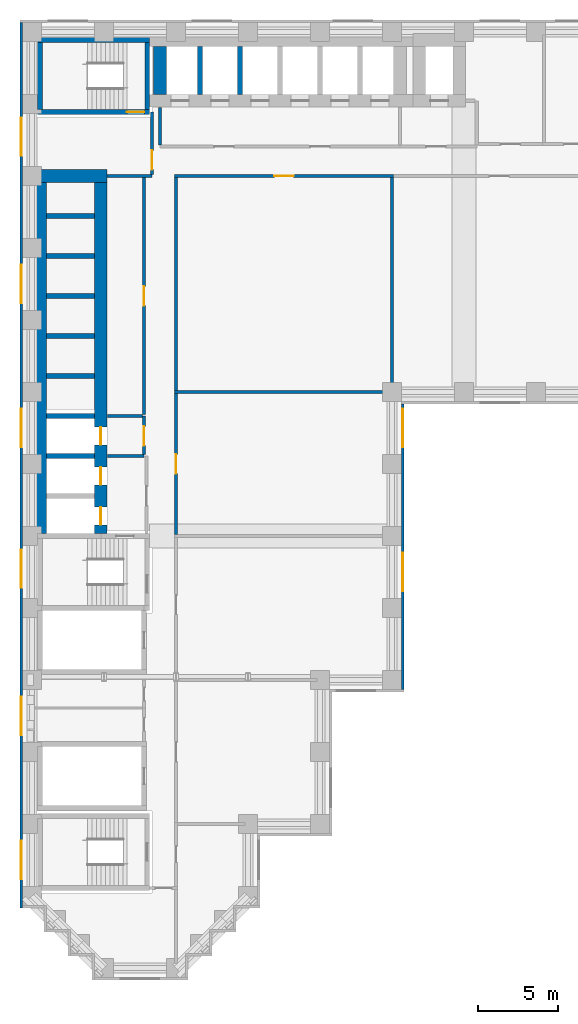
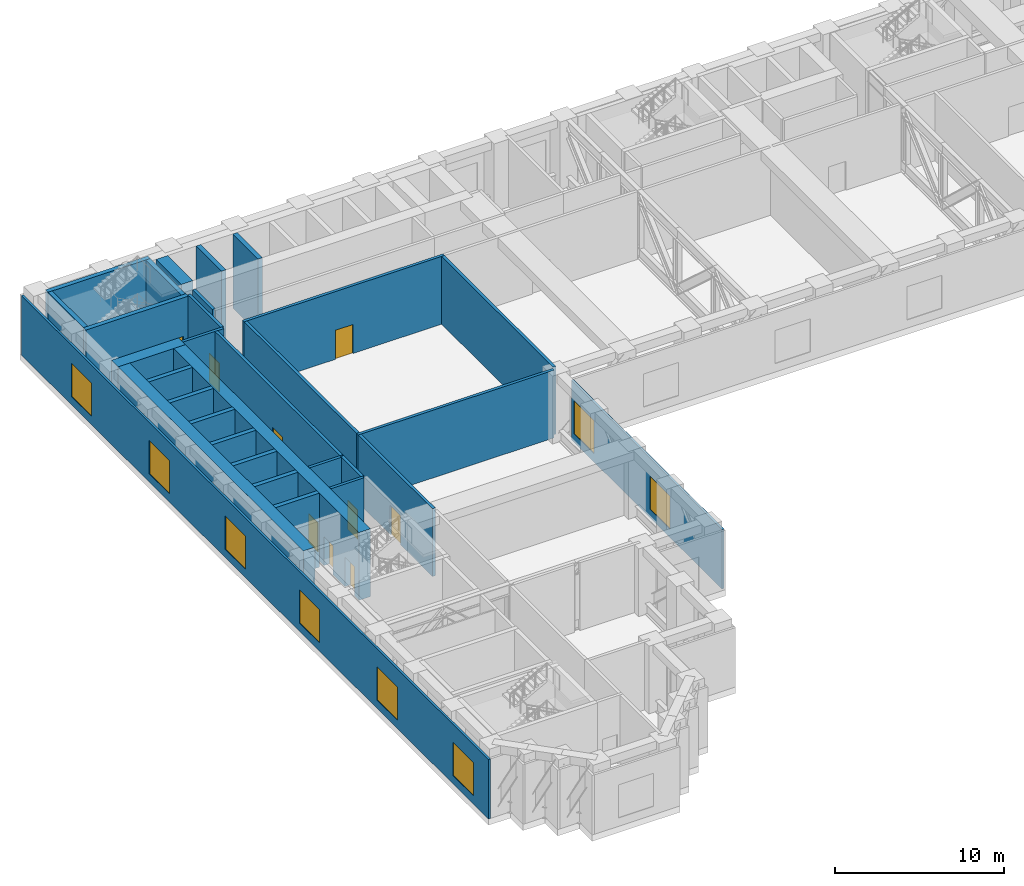
# One storey, part 6 of 13: 31 walls, 9 doors, 8 windows, 17 openings.
"""IFC4 building model written with IfcOpenShell, lengths in metres."""

import ifcopenshell
import ifcopenshell.guid

model = None  # the IFC model being written
_history = None  # IfcOwnerHistory: only IFC2X3 demands one
_inside = {}  # id of a spatial element -> (the spatial element, [elements in it])
_under = {}  # id of a project, library or spatial element -> (it, [spatial elements below it])
_declared = {}  # id of a project -> (the project, [libraries it declares])
_typed = {}  # id of a type object -> (the type object, [elements of that type])
_made_of = {}  # id of a material, layer set ... -> (it, [elements and type objects made of it])


def new_model(schema):
    """Start an empty IFC model of exactly this schema.

    Asked for "IFC4X3", IfcOpenShell would pick the latest addendum, in which some entities
    have other attributes; the version numbers below select the first issue.
    IFC2X3 requires an IfcOwnerHistory on every rooted entity: one is made here for all.
    """
    global model, _history
    if schema == "IFC4X3":
        model = ifcopenshell.file(schema_version=(4, 3, 0, 0))
    else:
        model = ifcopenshell.file(schema=schema)
    _inside.clear()
    _under.clear()
    _declared.clear()
    _typed.clear()
    _made_of.clear()
    _history = None
    if model.schema == "IFC2X3":
        org = make("IfcOrganization", Name="unknown")
        user = make(
            "IfcPersonAndOrganization",
            ThePerson=make("IfcPerson", FamilyName="unknown"),
            TheOrganization=org,
        )
        app = make(
            "IfcApplication",
            ApplicationDeveloper=org,
            Version="unknown",
            ApplicationFullName="unknown",
            ApplicationIdentifier="unknown",
        )
        _history = make(
            "IfcOwnerHistory",
            OwningUser=user,
            OwningApplication=app,
            ChangeAction="ADDED",
            CreationDate=0,
        )
    return model


def make(cls, **values):
    """One entity of the class cls with the attributes given. An attribute that is None is left unset."""
    return model.create_entity(
        cls, **{name: value for name, value in values.items() if value is not None}
    )


def rooted(cls, **values):
    """An entity with a GlobalId (a new one), such as an element, a storey or a relation."""
    return make(cls, GlobalId=ifcopenshell.guid.new(), OwnerHistory=_history, **values)


def si_unit(unit_type, name, prefix=None):
    """IfcSIUnit, for example si_unit("LENGTHUNIT", "METRE", prefix="MILLI")."""
    return make("IfcSIUnit", UnitType=unit_type, Prefix=prefix, Name=name)


def assignment(units):
    """IfcUnitAssignment: the units of a project."""
    return None if units is None else make("IfcUnitAssignment", Units=units)


def point(xyz):
    """IfcCartesianPoint."""
    return None if xyz is None else make("IfcCartesianPoint", Coordinates=xyz)


def direction(xyz):
    """IfcDirection."""
    return None if xyz is None else make("IfcDirection", DirectionRatios=xyz)


def frame(location, z_axis=None, x_axis=None):
    """IfcAxis2Placement3D, a coordinate frame: its origin and axes. An axis left out is left unset."""
    return make(
        "IfcAxis2Placement3D",
        Location=point(location),
        Axis=direction(z_axis),
        RefDirection=direction(x_axis),
    )


def frame_2d(location, x_axis=None):
    """IfcAxis2Placement2D, a coordinate frame in the plane: its origin and x axis."""
    return make(
        "IfcAxis2Placement2D", Location=point(location), RefDirection=direction(x_axis)
    )


def origin():
    """The frame at (0, 0, 0) with its axes left unset."""
    return frame((0.0, 0.0, 0.0))


def place(relative_to, where):
    """IfcLocalPlacement: puts the frame where relative to a parent placement (None: the world)."""
    return make(
        "IfcLocalPlacement", PlacementRelTo=relative_to, RelativePlacement=where
    )


def context(
    kind, dimensions, precision=None, world=None, true_north=None, identifier=None
):
    """IfcGeometricRepresentationContext, for example the 3D "Model" context."""
    return make(
        "IfcGeometricRepresentationContext",
        ContextIdentifier=identifier,
        ContextType=kind,
        CoordinateSpaceDimension=dimensions,
        Precision=precision,
        WorldCoordinateSystem=world,
        TrueNorth=true_north,
    )


def subcontext(parent, identifier, kind, view, scale=None):
    """IfcGeometricRepresentationSubContext, for example "Body" below "Model"."""
    return make(
        "IfcGeometricRepresentationSubContext",
        ContextIdentifier=identifier,
        ContextType=kind,
        ParentContext=parent,
        TargetScale=scale,
        TargetView=view,
    )


def project(units=None, contexts=None):
    """IfcProject with its units and contexts."""
    return rooted(
        "IfcProject",
        Name="project",
        RepresentationContexts=contexts,
        UnitsInContext=assignment(units),
    )


def spatial(cls, under=None, at=None, **own):
    """A site, building, storey or space (cls), placed at a placement, below another one or the project."""
    s = rooted(cls, ObjectPlacement=at, **own)
    if under is not None:
        _under.setdefault(under.id(), (under, []))[1].append(s)
    return s


def profile(cls, at=None, kind="AREA", **sizes):
    """A parametric profile (cls). Its sizes go by their IFC names, for example OverallWidth=200.0."""
    return make(cls, ProfileType=kind, Position=at, **sizes)


def rectangle(**sizes):
    """IfcRectangleProfileDef."""
    return profile("IfcRectangleProfileDef", **sizes)


def extrude(swept, where, along, depth):
    """IfcExtrudedAreaSolid: the profile swept, set in the frame where, extruded along a direction by depth."""
    return make(
        "IfcExtrudedAreaSolid",
        SweptArea=swept,
        Position=where,
        ExtrudedDirection=direction(along),
        Depth=depth,
    )


def shape(context_of_items, identifier, shape_type, items):
    """IfcShapeRepresentation: the items that make up one representation, for example the "Body"."""
    return make(
        "IfcShapeRepresentation",
        ContextOfItems=context_of_items,
        RepresentationIdentifier=identifier,
        RepresentationType=shape_type,
        Items=items,
    )


def material(Name=None, Category=None):
    """IfcMaterial."""
    return make("IfcMaterial", Name=Name, Category=Category)


def layer(
    of_material, thickness, ventilated=None, Name=None, Category=None, Priority=None
):
    """IfcMaterialLayer: one layer of a wall or slab, of a material (None: an air gap)."""
    return make(
        "IfcMaterialLayer",
        Material=of_material,
        LayerThickness=thickness,
        IsVentilated=ventilated,
        Name=Name,
        Category=Category,
        Priority=Priority,
    )


def layer_set(layers, Name=None):
    """IfcMaterialLayerSet."""
    return make("IfcMaterialLayerSet", MaterialLayers=layers, LayerSetName=Name)


def made_of(thing, what):
    """Note that an element or type object is made of a material, layer set ...; save() writes the relation."""
    if what is not None:
        _made_of.setdefault(what.id(), (what, []))[1].append(thing)
    return thing


def type_object(cls, material=None, **own):
    """A type object (cls), such as IfcWallType, which elements share."""
    return made_of(rooted(cls, **own), material)


def element(
    cls,
    number,
    at=None,
    inside=None,
    cuts=None,
    type_object=None,
    material=None,
    context=None,
    identifier="Body",
    shape_type=None,
    held_by="IfcProductDefinitionShape",
    body=None,
    shapes=None,
    **own,
):
    """One element of the class cls, such as IfcWall. Its Tag is "e" and its number.

    at: its placement. inside: the storey or other place that contains it. cuts: it is an
    opening in that element (IfcRelVoidsElement). A single representation is given by context,
    identifier, shape_type and body (its items); several are given by shapes. held_by: the class
    of the entity that holds the representations. save() writes the other relations.
    """
    e = rooted(cls, Tag="e%d" % number, ObjectPlacement=at, **own)
    if body is not None:
        shapes = [shape(context, identifier, shape_type, body)]
    if shapes is not None:
        e.Representation = make(held_by, Representations=shapes)
    if inside is not None:
        _inside.setdefault(inside.id(), (inside, []))[1].append(e)
    if cuts is not None:
        rooted(
            "IfcRelVoidsElement", RelatingBuildingElement=cuts, RelatedOpeningElement=e
        )
    if type_object is not None:
        _typed.setdefault(type_object.id(), (type_object, []))[1].append(e)
    return made_of(e, material)


def fill(opening, filler):
    """IfcRelFillsElement: the door or window that sits in an opening."""
    return rooted(
        "IfcRelFillsElement",
        RelatingOpeningElement=opening,
        RelatedBuildingElement=filler,
    )


def aggregate(whole, parts):
    """IfcRelAggregates: a whole, such as a stair, and the parts it consists of."""
    return rooted("IfcRelAggregates", RelatingObject=whole, RelatedObjects=parts)


def save(model, path):
    """Write the relations noted so far, then the file.

    IfcRelAggregates (storeys below a building ...), IfcRelContainedInSpatialStructure (elements
    in a storey), IfcRelDefinesByType, IfcRelAssociatesMaterial and IfcRelDeclares: one each for
    every whole, place, type object, material and project.
    """
    for whole, parts in _under.values():
        aggregate(whole, parts)
    for where, things in _inside.values():
        rooted(
            "IfcRelContainedInSpatialStructure",
            RelatedElements=things,
            RelatingStructure=where,
        )
    for kind, things in _typed.values():
        rooted("IfcRelDefinesByType", RelatedObjects=things, RelatingType=kind)
    for what, things in _made_of.values():
        rooted("IfcRelAssociatesMaterial", RelatedObjects=things, RelatingMaterial=what)
    for by, libraries in _declared.values():
        rooted("IfcRelDeclares", RelatingContext=by, RelatedDefinitions=libraries)
    model.write(path)


model = new_model("IFC4")

# Units and contexts
model_context = context("Model", 3, precision=1e-05, world=origin(), true_north=direction((0.0, 1.0)))
body_context = subcontext(model_context, "Body", "Model", "MODEL_VIEW")
ifc_project = project(units=[si_unit("LENGTHUNIT", "METRE"), si_unit("AREAUNIT", "SQUARE_METRE"), si_unit("VOLUMEUNIT", "CUBIC_METRE"), si_unit("PLANEANGLEUNIT", "RADIAN"), si_unit("MASSUNIT", "GRAM", prefix="KILO")], contexts=[model_context])

# Site, building, storey
site_placement = place(None, origin())
site = spatial("IfcSite", under=ifc_project, at=site_placement, CompositionType="ELEMENT")
building_placement = place(site_placement, origin())
building = spatial("IfcBuilding", under=site, at=building_placement, Name="Firuza Court", CompositionType="ELEMENT")
storey_placement = place(building_placement, frame((0.0, 0.0, 108.199951171875)))
storey = spatial("IfcBuildingStorey", under=building, at=storey_placement, Name="L27", CompositionType="ELEMENT", Elevation=108.199951171875)

# Wall, opening, door
ifc_material_1 = material(Name="Concrete C60/75", Category="concrete")
ifc_layer_1 = layer(ifc_material_1, 0.300048828125)
ifc_layer_set_1 = layer_set([ifc_layer_1], Name="Concrete C60/75")
wall_type_1 = type_object("IfcWallType", Name="Core wall 300 C60/75", PredefinedType="SHEAR", material=ifc_layer_set_1)
wall_1_placement = place(storey_placement, frame((0.35009765625, 53.5, -0.449951171875), z_axis=(0.0, 0.0, 1.0), x_axis=(1.0, 0.0, 0.0)))
wall_1 = element("IfcWall", 1, at=wall_1_placement, inside=storey, type_object=wall_type_1, Name="Core wall stair L27", PredefinedType="SHEAR", context=body_context, shape_type="SweptSolid", body=[
    extrude(rectangle(XDim=7.0, YDim=0.300048828125, at=frame_2d((3.5, 0.0))), origin(), (0.0, 0.0, 1.0), 5.35009765625),
])
opening_1_placement = place(wall_1_placement, frame((5.580078125, 0.0, 0.449951171875)))
opening_1 = element("IfcOpeningElement", 2, at=opening_1_placement, cuts=wall_1, Name="Opening D27016", PredefinedType="OPENING", context=body_context, shape_type="SweptSolid", body=[
    extrude(rectangle(XDim=1.10009765625, YDim=2.10009765625, at=frame_2d((0.550048828125, 1.050048828125))), frame((0.0, 0.162109375, 0.0), z_axis=(0.0, -1.0, 0.0), x_axis=(1.0, 0.0, 0.0)), (0.0, 0.0, 1.0), 0.323974609375),
])
ifc_material_2 = material(Name="Timber door leaf in hardwood frame", Category="wood")
door_type_1 = type_object("IfcDoorType", Name="Stair door 1100", OperationType="SINGLE_SWING_LEFT", PredefinedType="DOOR", material=ifc_material_2)
door_1_placement = place(opening_1_placement, origin())
door_1 = element("IfcDoor", 3, at=door_1_placement, inside=storey, type_object=door_type_1, Name="Stair door S3", OperationType="SINGLE_SWING_RIGHT", OverallHeight=2.10009765625, OverallWidth=1.10009765625, PredefinedType="DOOR", context=body_context, shape_type="SweptSolid", body=[
    extrude(rectangle(XDim=1.10009765625, YDim=2.10009765625, at=frame_2d((0.550048828125, 1.050048828125))), frame((0.0, 0.02490234375, 0.0), z_axis=(0.0, -1.0, 0.0), x_axis=(1.0, 0.0, 0.0)), (0.0, 0.0, 1.0), 0.050048828125),
])
fill(opening_1, door_1)

# Walls
wall_2_placement = place(storey_placement, frame((0.35009765625, 58.0, -0.449951171875), z_axis=(0.0, 0.0, 1.0), x_axis=(1.0, 0.0, 0.0)))
element("IfcWall", 4, at=wall_2_placement, inside=storey, type_object=wall_type_1, Name="Core wall stair L27", PredefinedType="SHEAR", context=body_context, shape_type="SweptSolid", body=[
    extrude(rectangle(XDim=7.0, YDim=0.300048828125, at=frame_2d((3.5, 0.0))), origin(), (0.0, 0.0, 1.0), 5.35009765625),
])
wall_3_placement = place(storey_placement, frame((0.5, 53.64990234375, -0.449951171875), z_axis=(0.0, 0.0, 1.0), x_axis=(0.0, 1.0, 0.0)))
element("IfcWall", 5, at=wall_3_placement, inside=storey, type_object=wall_type_1, Name="Core wall stair L27", PredefinedType="SHEAR", context=body_context, shape_type="SweptSolid", body=[
    extrude(rectangle(XDim=4.2001953125, YDim=0.300048828125, at=frame_2d((2.10009765625, 0.0))), origin(), (0.0, 0.0, 1.0), 5.35009765625),
])
for number, where, z_axis, x_axis, name in (
    (6, (0.89990234375, 32.0, -0.449951171875), (0.0, 0.0, 1.0), (1.0, 0.0, 0.0), "Core wall lift shaft L27"),
    (7, (0.89990234375, 34.5, -0.449951171875), (0.0, 0.0, 1.0), (1.0, 0.0, 0.0), "Core wall lift shaft L27"),
):
    element("IfcWall", number, at=place(storey_placement, frame(where, z_axis=z_axis, x_axis=x_axis)), inside=storey, type_object=wall_type_1, Name=name, PredefinedType="SHEAR", context=body_context, shape_type="SweptSolid", body=[
        extrude(rectangle(XDim=3.0, YDim=0.300048828125, at=frame_2d((1.5, 0.0))), origin(), (0.0, 0.0, 1.0), 5.35009765625),
    ])
for number, where, z_axis, x_axis, name in (
    (8, (0.89990234375, 37.0, 0.0), (0.0, 0.0, 1.0), (1.0, 0.0, 0.0), "Core wall lift shaft L27"),
    (9, (0.89990234375, 39.5, 0.0), (0.0, 0.0, 1.0), (1.0, 0.0, 0.0), "Core wall lift shaft L27"),
    (10, (0.89990234375, 42.0, 0.0), (0.0, 0.0, 1.0), (1.0, 0.0, 0.0), "Core wall lift shaft L27"),
    (11, (0.89990234375, 44.5, 0.0), (0.0, 0.0, 1.0), (1.0, 0.0, 0.0), "Core wall lift shaft L27"),
    (12, (0.89990234375, 47.0, 0.0), (0.0, 0.0, 1.0), (1.0, 0.0, 0.0), "Core wall lift shaft L27"),
):
    element("IfcWall", number, at=place(storey_placement, frame(where, z_axis=z_axis, x_axis=x_axis)), inside=storey, type_object=wall_type_1, Name=name, PredefinedType="SHEAR", context=body_context, shape_type="SweptSolid", body=[
        extrude(rectangle(XDim=3.0, YDim=0.300048828125, at=frame_2d((1.5, 0.0))), origin(), (0.0, 0.0, 1.0), 4.900146484375),
    ])
wall_4_placement = place(storey_placement, frame((7.199951171875, 53.64990234375, -0.449951171875), z_axis=(0.0, 0.0, 1.0), x_axis=(0.0, 1.0, 0.0)))
element("IfcWall", 13, at=wall_4_placement, inside=storey, type_object=wall_type_1, Name="Core wall stair L27", PredefinedType="SHEAR", context=body_context, shape_type="SweptSolid", body=[
    extrude(rectangle(XDim=4.2001953125, YDim=0.300048828125, at=frame_2d((2.10009765625, 0.0))), origin(), (0.0, 0.0, 1.0), 5.35009765625),
])
for number, where, z_axis, x_axis, name in (
    (14, (10.5, 54.60009765625, -0.449951171875), (0.0, 0.0, 1.0), (0.0, 1.0, 0.0), "Core wall lift shaft L27"),
    (15, (13.0, 54.60009765625, -0.449951171875), (0.0, 0.0, 1.0), (0.0, 1.0, 0.0), "Core wall lift shaft L27"),
):
    element("IfcWall", number, at=place(storey_placement, frame(where, z_axis=z_axis, x_axis=x_axis)), inside=storey, type_object=wall_type_1, Name=name, PredefinedType="SHEAR", context=body_context, shape_type="SweptSolid", body=[
        extrude(rectangle(XDim=3.0, YDim=0.300048828125, at=frame_2d((1.5, 0.0))), origin(), (0.0, 0.0, 1.0), 5.35009765625),
    ])
ifc_layer_2 = layer(ifc_material_1, 0.800048828125)
ifc_layer_set_2 = layer_set([ifc_layer_2], Name="Concrete C60/75")
wall_type_2 = type_object("IfcWallType", Name="Core wall 800 C60/75", PredefinedType="SHEAR", material=ifc_layer_set_2)
wall_5_placement = place(storey_placement, frame((0.10009765625, 49.5, 0.0), z_axis=(0.0, 0.0, 1.0), x_axis=(1.0, 0.0, 0.0)))
element("IfcWall", 16, at=wall_5_placement, inside=storey, type_object=wall_type_2, Name="Core wall lift shaft L27", PredefinedType="SHEAR", context=body_context, shape_type="SweptSolid", body=[
    extrude(rectangle(XDim=4.599853515625, YDim=0.800048828125, at=frame_2d((2.2998046875, 0.0))), origin(), (0.0, 0.0, 1.0), 4.900146484375),
])
wall_6_placement = place(storey_placement, frame((0.5, 27.14990234375, 0.0), z_axis=(0.0, 0.0, 1.0), x_axis=(0.0, 1.0, 0.0)))
element("IfcWall", 17, at=wall_6_placement, inside=storey, type_object=wall_type_2, Name="Core wall lift shaft L27", PredefinedType="SHEAR", context=body_context, shape_type="SweptSolid", body=[
    extrude(rectangle(XDim=21.9501953125, YDim=0.800048828125, at=frame_2d((10.97509765625, 0.0))), origin(), (0.0, 0.0, 1.0), 4.900146484375),
])

# Wall, openings, doors
wall_7_placement = place(storey_placement, frame((4.300048828125, 27.14990234375, 0.0), z_axis=(0.0, 0.0, 1.0), x_axis=(0.0, 1.0, 0.0)))
wall_7 = element("IfcWall", 18, at=wall_7_placement, inside=storey, type_object=wall_type_2, Name="Core wall lift shaft L27", PredefinedType="SHEAR", context=body_context, shape_type="SweptSolid", body=[
    extrude(rectangle(XDim=21.9501953125, YDim=0.800048828125, at=frame_2d((10.97509765625, 0.0))), origin(), (0.0, 0.0, 1.0), 4.900146484375),
])
opening_2_placement = place(wall_7_placement, frame((3.050048828125, 0.0, 0.0)))
opening_2 = element("IfcOpeningElement", 19, at=opening_2_placement, cuts=wall_7, Name="Opening LD-FL1-27", PredefinedType="OPENING", context=body_context, shape_type="SweptSolid", body=[
    extrude(rectangle(XDim=1.10009765625, YDim=2.10009765625, at=frame_2d((0.550048828125, 1.050048828125))), frame((0.0, 0.412109375, 0.0), z_axis=(0.0, -1.0, 0.0), x_axis=(1.0, 0.0, 0.0)), (0.0, 0.0, 1.0), 0.823974609375),
])
opening_3_placement = place(wall_7_placement, frame((0.550048828125, 0.0, 0.0)))
opening_3 = element("IfcOpeningElement", 20, at=opening_3_placement, cuts=wall_7, Name="Opening LD-FL2-27", PredefinedType="OPENING", context=body_context, shape_type="SweptSolid", body=[
    extrude(rectangle(XDim=1.10009765625, YDim=2.10009765625, at=frame_2d((0.550048828125, 1.050048828125))), frame((0.0, 0.412109375, 0.0), z_axis=(0.0, -1.0, 0.0), x_axis=(1.0, 0.0, 0.0)), (0.0, 0.0, 1.0), 0.823974609375),
])
opening_4_placement = place(wall_7_placement, frame((5.550048828125, 0.0, 0.0)))
opening_4 = element("IfcOpeningElement", 21, at=opening_4_placement, cuts=wall_7, Name="Opening LD-SL1-27", PredefinedType="OPENING", context=body_context, shape_type="SweptSolid", body=[
    extrude(rectangle(XDim=1.10009765625, YDim=2.10009765625, at=frame_2d((0.550048828125, 1.050048828125))), frame((0.0, 0.412109375, 0.0), z_axis=(0.0, -1.0, 0.0), x_axis=(1.0, 0.0, 0.0)), (0.0, 0.0, 1.0), 0.823974609375),
])
ifc_material_3 = material(Name="Stainless steel 1.4301 door leaf", Category="steel")
door_type_2 = type_object("IfcDoorType", Name="Lift landing door 1100", OperationType="SLIDING_TO_LEFT", PredefinedType="DOOR", material=ifc_material_3)
door_2_placement = place(opening_2_placement, origin())
door_2 = element("IfcDoor", 22, at=door_2_placement, inside=storey, type_object=door_type_2, Name="Landing door FL1", OperationType="SLIDING_TO_LEFT", OverallHeight=2.10009765625, OverallWidth=1.10009765625, PredefinedType="DOOR", context=body_context, shape_type="SweptSolid", body=[
    extrude(rectangle(XDim=1.10009765625, YDim=2.10009765625, at=frame_2d((0.550048828125, 1.050048828125))), frame((0.0, 0.02490234375, 0.0), z_axis=(0.0, -1.0, 0.0), x_axis=(1.0, 0.0, 0.0)), (0.0, 0.0, 1.0), 0.050048828125),
])
fill(opening_2, door_2)
door_3_placement = place(opening_3_placement, origin())
door_3 = element("IfcDoor", 23, at=door_3_placement, inside=storey, type_object=door_type_2, Name="Landing door FL2", OperationType="SLIDING_TO_LEFT", OverallHeight=2.10009765625, OverallWidth=1.10009765625, PredefinedType="DOOR", context=body_context, shape_type="SweptSolid", body=[
    extrude(rectangle(XDim=1.10009765625, YDim=2.10009765625, at=frame_2d((0.550048828125, 1.050048828125))), frame((0.0, 0.02490234375, 0.0), z_axis=(0.0, -1.0, 0.0), x_axis=(1.0, 0.0, 0.0)), (0.0, 0.0, 1.0), 0.050048828125),
])
fill(opening_3, door_3)
door_4_placement = place(opening_4_placement, origin())
door_4 = element("IfcDoor", 24, at=door_4_placement, inside=storey, type_object=door_type_2, Name="Landing door SL1", OperationType="SLIDING_TO_LEFT", OverallHeight=2.10009765625, OverallWidth=1.10009765625, PredefinedType="DOOR", context=body_context, shape_type="SweptSolid", body=[
    extrude(rectangle(XDim=1.10009765625, YDim=2.10009765625, at=frame_2d((0.550048828125, 1.050048828125))), frame((0.0, 0.02490234375, 0.0), z_axis=(0.0, -1.0, 0.0), x_axis=(1.0, 0.0, 0.0)), (0.0, 0.0, 1.0), 0.050048828125),
])
fill(opening_4, door_4)

# Wall
wall_8_placement = place(storey_placement, frame((8.0, 54.60009765625, -0.449951171875), z_axis=(0.0, 0.0, 1.0), x_axis=(0.0, 1.0, 0.0)))
element("IfcWall", 25, at=wall_8_placement, inside=storey, type_object=wall_type_2, Name="Core wall lift shaft L27", PredefinedType="SHEAR", context=body_context, shape_type="SweptSolid", body=[
    extrude(rectangle(XDim=3.0, YDim=0.800048828125, at=frame_2d((1.5, 0.0))), origin(), (0.0, 0.0, 1.0), 5.35009765625),
])

# Wall, opening, door
ifc_material_4 = material(Name="Blockwork, fire-rated", Category="masonry")
ifc_layer_3 = layer(ifc_material_4, 0.199951171875)
ifc_layer_set_3 = layer_set([ifc_layer_3], Name="Blockwork, fire-rated")
wall_type_3 = type_object("IfcWallType", Name="Plant room wall 200", PredefinedType="PARTITIONING", material=ifc_layer_set_3)
wall_9_placement = place(storey_placement, frame((9.0, 27.10009765625, 0.0), z_axis=(0.0, 0.0, 1.0), x_axis=(0.0, 1.0, 0.0)))
wall_9 = element("IfcWall", 26, at=wall_9_placement, inside=storey, type_object=wall_type_3, Name="Plant room wall 200 L27", PredefinedType="PARTITIONING", context=body_context, shape_type="SweptSolid", body=[
    extrude(rectangle(XDim=8.7998046875, YDim=0.199951171875, at=frame_2d((4.39990234375, 0.0))), origin(), (0.0, 0.0, 1.0), 4.900146484375),
])
opening_5_placement = place(wall_9_placement, frame((3.800048828125, 0.0, 0.0)))
opening_5 = element("IfcOpeningElement", 27, at=opening_5_placement, cuts=wall_9, Name="Opening D27025", PredefinedType="OPENING", context=body_context, shape_type="SweptSolid", body=[
    extrude(rectangle(XDim=1.199951171875, YDim=2.10009765625, at=frame_2d((0.60009765625, 1.050048828125))), frame((0.0, 0.11181640625, 0.0), z_axis=(0.0, -1.0, 0.0), x_axis=(1.0, 0.0, 0.0)), (0.0, 0.0, 1.0), 0.223876953125),
])
ifc_material_5 = material(Name="Timber door leaf in hardwood frame", Category="wood")
door_type_3 = type_object("IfcDoorType", Name="Plant room door 1200", OperationType="SINGLE_SWING_LEFT", PredefinedType="DOOR", material=ifc_material_5)
door_5_placement = place(opening_5_placement, frame((1.199951171875, 0.0, 0.0), z_axis=(0.0, 0.0, 1.0), x_axis=(-1.0, 0.0, 0.0)))
door_5 = element("IfcDoor", 28, at=door_5_placement, inside=storey, type_object=door_type_3, Name="Plant door", OperationType="SINGLE_SWING_RIGHT", OverallHeight=2.10009765625, OverallWidth=1.199951171875, PredefinedType="DOOR", context=body_context, shape_type="SweptSolid", body=[
    extrude(rectangle(XDim=1.199951171875, YDim=2.10009765625, at=frame_2d((0.60009765625, 1.050048828125))), frame((0.0, 0.02490234375, 0.0), z_axis=(0.0, -1.0, 0.0), x_axis=(1.0, 0.0, 0.0)), (0.0, 0.0, 1.0), 0.050048828125),
])
fill(opening_5, door_5)

# Walls
wall_10_placement = place(storey_placement, frame((9.0, 36.10009765625, 0.0), z_axis=(0.0, 0.0, 1.0), x_axis=(0.0, 1.0, 0.0)))
element("IfcWall", 29, at=wall_10_placement, inside=storey, type_object=wall_type_3, Name="Plant room wall 200 L27", PredefinedType="PARTITIONING", context=body_context, shape_type="SweptSolid", body=[
    extrude(rectangle(XDim=13.2998046875, YDim=0.199951171875, at=frame_2d((6.64990234375, 0.0))), origin(), (0.0, 0.0, 1.0), 4.900146484375),
])
wall_11_placement = place(storey_placement, frame((22.30859375, 36.0, 0.0), z_axis=(0.0, 0.0, 1.0), x_axis=(-1.0, 0.0, 0.0)))
element("IfcWall", 30, at=wall_11_placement, inside=storey, type_object=wall_type_3, Name="Plant room wall 200 L27", PredefinedType="PARTITIONING", context=body_context, shape_type="SweptSolid", body=[
    extrude(rectangle(XDim=13.40869140625, YDim=0.199951171875, at=frame_2d((6.704345703125, 0.0))), origin(), (0.0, 0.0, 1.0), 4.900146484375),
])
wall_12_placement = place(storey_placement, frame((22.5, 36.19140625, 0.0), z_axis=(0.0, 0.0, 1.0), x_axis=(0.0, 1.0, 0.0)))
element("IfcWall", 31, at=wall_12_placement, inside=storey, type_object=wall_type_3, Name="Plant room wall 200 L27", PredefinedType="PARTITIONING", context=body_context, shape_type="SweptSolid", body=[
    extrude(rectangle(XDim=13.20849609375, YDim=0.199951171875, at=frame_2d((6.604248046875, 0.0))), origin(), (0.0, 0.0, 1.0), 4.900146484375),
])

# Wall, opening, door
wall_13_placement = place(storey_placement, frame((7.0, 49.39990234375, 0.0), z_axis=(0.0, 0.0, 1.0), x_axis=(0.0, -1.0, 0.0)))
wall_13 = element("IfcWall", 32, at=wall_13_placement, inside=storey, type_object=wall_type_3, Name="Plant room wall 200 L27", PredefinedType="PARTITIONING", context=body_context, shape_type="SweptSolid", body=[
    extrude(rectangle(XDim=14.7998046875, YDim=0.199951171875, at=frame_2d((7.39990234375, 0.0))), origin(), (0.0, 0.0, 1.0), 4.900146484375),
])
opening_6_placement = place(wall_13_placement, frame((6.800048828125, 0.0, 0.0)))
opening_6 = element("IfcOpeningElement", 33, at=opening_6_placement, cuts=wall_13, Name="Opening D27026", PredefinedType="OPENING", context=body_context, shape_type="SweptSolid", body=[
    extrude(rectangle(XDim=1.199951171875, YDim=2.10009765625, at=frame_2d((0.60009765625, 1.050048828125))), frame((0.0, 0.11181640625, 0.0), z_axis=(0.0, -1.0, 0.0), x_axis=(1.0, 0.0, 0.0)), (0.0, 0.0, 1.0), 0.223876953125),
])
door_6_placement = place(opening_6_placement, frame((1.199951171875, 0.0, 0.0), z_axis=(0.0, 0.0, 1.0), x_axis=(-1.0, 0.0, 0.0)))
door_6 = element("IfcDoor", 34, at=door_6_placement, inside=storey, type_object=door_type_3, Name="Plant door", OperationType="SINGLE_SWING_RIGHT", OverallHeight=2.10009765625, OverallWidth=1.199951171875, PredefinedType="DOOR", context=body_context, shape_type="SweptSolid", body=[
    extrude(rectangle(XDim=1.199951171875, YDim=2.10009765625, at=frame_2d((0.60009765625, 1.050048828125))), frame((0.0, 0.02490234375, 0.0), z_axis=(0.0, -1.0, 0.0), x_axis=(1.0, 0.0, 0.0)), (0.0, 0.0, 1.0), 0.050048828125),
])
fill(opening_6, door_6)

wall_14_placement = place(storey_placement, frame((8.89990234375, 49.5, 0.0), z_axis=(0.0, 0.0, 1.0), x_axis=(1.0, 0.0, 0.0)))
wall_14 = element("IfcWall", 35, at=wall_14_placement, inside=storey, type_object=wall_type_3, Name="Plant room wall 200 L27", PredefinedType="PARTITIONING", context=body_context, shape_type="SweptSolid", body=[
    extrude(rectangle(XDim=13.7001953125, YDim=0.199951171875, at=frame_2d((6.85009765625, 0.0))), origin(), (0.0, 0.0, 1.0), 4.900146484375),
])
opening_7_placement = place(wall_14_placement, frame((6.25, 0.0, 0.0)))
opening_7 = element("IfcOpeningElement", 36, at=opening_7_placement, cuts=wall_14, Name="Opening D27027", PredefinedType="OPENING", context=body_context, shape_type="SweptSolid", body=[
    extrude(rectangle(XDim=1.199951171875, YDim=2.10009765625, at=frame_2d((0.60009765625, 1.050048828125))), frame((0.0, 0.11181640625, 0.0), z_axis=(0.0, -1.0, 0.0), x_axis=(1.0, 0.0, 0.0)), (0.0, 0.0, 1.0), 0.223876953125),
])
door_7_placement = place(opening_7_placement, frame((1.199951171875, 0.0, 0.0), z_axis=(0.0, 0.0, 1.0), x_axis=(-1.0, 0.0, 0.0)))
door_7 = element("IfcDoor", 37, at=door_7_placement, inside=storey, type_object=door_type_3, Name="Plant door", OperationType="SINGLE_SWING_RIGHT", OverallHeight=2.10009765625, OverallWidth=1.199951171875, PredefinedType="DOOR", context=body_context, shape_type="SweptSolid", body=[
    extrude(rectangle(XDim=1.199951171875, YDim=2.10009765625, at=frame_2d((0.60009765625, 1.050048828125))), frame((0.0, 0.02490234375, 0.0), z_axis=(0.0, -1.0, 0.0), x_axis=(1.0, 0.0, 0.0)), (0.0, 0.0, 1.0), 0.050048828125),
])
fill(opening_7, door_7)

# Wall, openings, windows
ifc_material_6 = material(Name="Ceramic tile", Category="ceramic")
ifc_layer_4 = layer(ifc_material_6, 0.02001953125)
ifc_material_7 = material(Name="Mineral wool insulation", Category="insulation")
ifc_layer_5 = layer(ifc_material_7, 0.050048828125)
ifc_material_8 = material(Name="Concrete C40/50 precast", Category="concrete")
ifc_layer_6 = layer(ifc_material_8, 0.080078125)
ifc_layer_set_4 = layer_set([ifc_layer_4, ifc_layer_5, ifc_layer_6], Name="Concrete C40/50 precast")
wall_type_4 = type_object("IfcWallType", Name="Precast cladding wall with turquoise TILE PANEL face 150", PredefinedType="STANDARD", material=ifc_layer_set_4)
wall_15_placement = place(storey_placement, frame((23.175048828125, 17.39990234375, 0.0), z_axis=(0.0, 0.0, 1.0), x_axis=(0.0, 1.0, 0.0)))
wall_15 = element("IfcWall", 38, at=wall_15_placement, inside=storey, type_object=wall_type_4, Name="Facade wall L27 E", PredefinedType="STANDARD", context=body_context, shape_type="SweptSolid", body=[
    extrude(rectangle(XDim=17.85009765625, YDim=0.14990234375, at=frame_2d((8.925048828125, 0.0))), origin(), (0.0, 0.0, 1.0), 4.300048828125),
])
opening_8_placement = place(wall_15_placement, frame((6.14990234375, 0.0, 0.60009765625)))
opening_8 = element("IfcOpeningElement", 39, at=opening_8_placement, cuts=wall_15, Name="Opening LV2", PredefinedType="OPENING", context=body_context, shape_type="SweptSolid", body=[
    extrude(rectangle(XDim=2.39990234375, YDim=2.39990234375, at=frame_2d((1.199951171875, 1.199951171875))), frame((0.0, 0.0869140625, 0.0), z_axis=(0.0, -1.0, 0.0), x_axis=(1.0, 0.0, 0.0)), (0.0, 0.0, 1.0), 0.173828125),
])
opening_9_placement = place(wall_15_placement, frame((15.14990234375, 0.0, 0.60009765625)))
opening_9 = element("IfcOpeningElement", 40, at=opening_9_placement, cuts=wall_15, Name="Opening LV2", PredefinedType="OPENING", context=body_context, shape_type="SweptSolid", body=[
    extrude(rectangle(XDim=2.39990234375, YDim=2.39990234375, at=frame_2d((1.199951171875, 1.199951171875))), frame((0.0, 0.0869140625, 0.0), z_axis=(0.0, -1.0, 0.0), x_axis=(1.0, 0.0, 0.0)), (0.0, 0.0, 1.0), 0.173828125),
])
ifc_material_9 = material(Name="Aluminium weather louvre with insect mesh", Category="aluminium")
window_type = type_object("IfcWindowType", Name="Plant louvre 2400 x 2400", PartitioningType="SINGLE_PANEL", PredefinedType="USERDEFINED", material=ifc_material_9)
window_1_placement = place(opening_8_placement, origin())
window_1 = element("IfcWindow", 41, at=window_1_placement, inside=storey, type_object=window_type, Name="Louvre L27", ObjectType="LOUVRE", OverallHeight=2.39990234375, OverallWidth=2.39990234375, PartitioningType="SINGLE_PANEL", PredefinedType="USERDEFINED", context=body_context, shape_type="SweptSolid", body=[
    extrude(rectangle(XDim=2.39990234375, YDim=2.39990234375, at=frame_2d((1.199951171875, 1.199951171875))), frame((0.0, 0.030029296875, 0.0), z_axis=(0.0, -1.0, 0.0), x_axis=(1.0, 0.0, 0.0)), (0.0, 0.0, 1.0), 0.06005859375),
])
fill(opening_8, window_1)
window_2_placement = place(opening_9_placement, origin())
window_2 = element("IfcWindow", 42, at=window_2_placement, inside=storey, type_object=window_type, Name="Louvre L27", ObjectType="LOUVRE", OverallHeight=2.39990234375, OverallWidth=2.39990234375, PartitioningType="SINGLE_PANEL", PredefinedType="USERDEFINED", context=body_context, shape_type="SweptSolid", body=[
    extrude(rectangle(XDim=2.39990234375, YDim=2.39990234375, at=frame_2d((1.199951171875, 1.199951171875))), frame((0.0, 0.030029296875, 0.0), z_axis=(0.0, -1.0, 0.0), x_axis=(1.0, 0.0, 0.0)), (0.0, 0.0, 1.0), 0.06005859375),
])
fill(opening_9, window_2)

wall_16_placement = place(storey_placement, frame((-0.675048828125, 59.10009765625, 0.0), z_axis=(0.0, 0.0, 1.0), x_axis=(0.0, -1.0, 0.0)))
wall_16 = element("IfcWall", 43, at=wall_16_placement, inside=storey, type_object=wall_type_4, Name="Facade wall L27 W", PredefinedType="STANDARD", context=body_context, shape_type="SweptSolid", body=[
    extrude(rectangle(XDim=55.35009765625, YDim=0.14990234375, at=frame_2d((27.675048828125, 0.0))), origin(), (0.0, 0.0, 1.0), 4.300048828125),
])
opening_10_placement = place(wall_16_placement, frame((5.949951171875, 0.0, 0.60009765625)))
opening_10 = element("IfcOpeningElement", 44, at=opening_10_placement, cuts=wall_16, Name="Opening LV2", PredefinedType="OPENING", context=body_context, shape_type="SweptSolid", body=[
    extrude(rectangle(XDim=2.39990234375, YDim=2.39990234375, at=frame_2d((1.199951171875, 1.199951171875))), frame((0.0, 0.0869140625, 0.0), z_axis=(0.0, -1.0, 0.0), x_axis=(1.0, 0.0, 0.0)), (0.0, 0.0, 1.0), 0.173828125),
])
opening_11_placement = place(wall_16_placement, frame((15.14990234375, 0.0, 0.60009765625)))
opening_11 = element("IfcOpeningElement", 45, at=opening_11_placement, cuts=wall_16, Name="Opening LV2", PredefinedType="OPENING", context=body_context, shape_type="SweptSolid", body=[
    extrude(rectangle(XDim=2.39990234375, YDim=2.39990234375, at=frame_2d((1.199951171875, 1.199951171875))), frame((0.0, 0.0869140625, 0.0), z_axis=(0.0, -1.0, 0.0), x_axis=(1.0, 0.0, 0.0)), (0.0, 0.0, 1.0), 0.173828125),
])
opening_12_placement = place(wall_16_placement, frame((24.14990234375, 0.0, 0.60009765625)))
opening_12 = element("IfcOpeningElement", 46, at=opening_12_placement, cuts=wall_16, Name="Opening LV2", PredefinedType="OPENING", context=body_context, shape_type="SweptSolid", body=[
    extrude(rectangle(XDim=2.39990234375, YDim=2.39990234375, at=frame_2d((1.199951171875, 1.199951171875))), frame((0.0, 0.0869140625, 0.0), z_axis=(0.0, -1.0, 0.0), x_axis=(1.0, 0.0, 0.0)), (0.0, 0.0, 1.0), 0.173828125),
])
opening_13_placement = place(wall_16_placement, frame((32.949951171875, 0.0, 0.60009765625)))
opening_13 = element("IfcOpeningElement", 47, at=opening_13_placement, cuts=wall_16, Name="Opening LV2", PredefinedType="OPENING", context=body_context, shape_type="SweptSolid", body=[
    extrude(rectangle(XDim=2.39990234375, YDim=2.39990234375, at=frame_2d((1.199951171875, 1.199951171875))), frame((0.0, 0.0869140625, 0.0), z_axis=(0.0, -1.0, 0.0), x_axis=(1.0, 0.0, 0.0)), (0.0, 0.0, 1.0), 0.173828125),
])
opening_14_placement = place(wall_16_placement, frame((42.14990234375, 0.0, 0.60009765625)))
opening_14 = element("IfcOpeningElement", 48, at=opening_14_placement, cuts=wall_16, Name="Opening LV2", PredefinedType="OPENING", context=body_context, shape_type="SweptSolid", body=[
    extrude(rectangle(XDim=2.39990234375, YDim=2.39990234375, at=frame_2d((1.199951171875, 1.199951171875))), frame((0.0, 0.0869140625, 0.0), z_axis=(0.0, -1.0, 0.0), x_axis=(1.0, 0.0, 0.0)), (0.0, 0.0, 1.0), 0.173828125),
])
opening_15_placement = place(wall_16_placement, frame((51.14990234375, 0.0, 0.60009765625)))
opening_15 = element("IfcOpeningElement", 49, at=opening_15_placement, cuts=wall_16, Name="Opening LV2", PredefinedType="OPENING", context=body_context, shape_type="SweptSolid", body=[
    extrude(rectangle(XDim=2.39990234375, YDim=2.39990234375, at=frame_2d((1.199951171875, 1.199951171875))), frame((0.0, 0.0869140625, 0.0), z_axis=(0.0, -1.0, 0.0), x_axis=(1.0, 0.0, 0.0)), (0.0, 0.0, 1.0), 0.173828125),
])
window_3_placement = place(opening_10_placement, origin())
window_3 = element("IfcWindow", 50, at=window_3_placement, inside=storey, type_object=window_type, Name="Louvre L27", ObjectType="LOUVRE", OverallHeight=2.39990234375, OverallWidth=2.39990234375, PartitioningType="SINGLE_PANEL", PredefinedType="USERDEFINED", context=body_context, shape_type="SweptSolid", body=[
    extrude(rectangle(XDim=2.39990234375, YDim=2.39990234375, at=frame_2d((1.199951171875, 1.199951171875))), frame((0.0, 0.030029296875, 0.0), z_axis=(0.0, -1.0, 0.0), x_axis=(1.0, 0.0, 0.0)), (0.0, 0.0, 1.0), 0.06005859375),
])
fill(opening_10, window_3)
window_4_placement = place(opening_11_placement, origin())
window_4 = element("IfcWindow", 51, at=window_4_placement, inside=storey, type_object=window_type, Name="Louvre L27", ObjectType="LOUVRE", OverallHeight=2.39990234375, OverallWidth=2.39990234375, PartitioningType="SINGLE_PANEL", PredefinedType="USERDEFINED", context=body_context, shape_type="SweptSolid", body=[
    extrude(rectangle(XDim=2.39990234375, YDim=2.39990234375, at=frame_2d((1.199951171875, 1.199951171875))), frame((0.0, 0.030029296875, 0.0), z_axis=(0.0, -1.0, 0.0), x_axis=(1.0, 0.0, 0.0)), (0.0, 0.0, 1.0), 0.06005859375),
])
fill(opening_11, window_4)
window_5_placement = place(opening_12_placement, origin())
window_5 = element("IfcWindow", 52, at=window_5_placement, inside=storey, type_object=window_type, Name="Louvre L27", ObjectType="LOUVRE", OverallHeight=2.39990234375, OverallWidth=2.39990234375, PartitioningType="SINGLE_PANEL", PredefinedType="USERDEFINED", context=body_context, shape_type="SweptSolid", body=[
    extrude(rectangle(XDim=2.39990234375, YDim=2.39990234375, at=frame_2d((1.199951171875, 1.199951171875))), frame((0.0, 0.030029296875, 0.0), z_axis=(0.0, -1.0, 0.0), x_axis=(1.0, 0.0, 0.0)), (0.0, 0.0, 1.0), 0.06005859375),
])
fill(opening_12, window_5)
window_6_placement = place(opening_13_placement, origin())
window_6 = element("IfcWindow", 53, at=window_6_placement, inside=storey, type_object=window_type, Name="Louvre L27", ObjectType="LOUVRE", OverallHeight=2.39990234375, OverallWidth=2.39990234375, PartitioningType="SINGLE_PANEL", PredefinedType="USERDEFINED", context=body_context, shape_type="SweptSolid", body=[
    extrude(rectangle(XDim=2.39990234375, YDim=2.39990234375, at=frame_2d((1.199951171875, 1.199951171875))), frame((0.0, 0.030029296875, 0.0), z_axis=(0.0, -1.0, 0.0), x_axis=(1.0, 0.0, 0.0)), (0.0, 0.0, 1.0), 0.06005859375),
])
fill(opening_13, window_6)
window_7_placement = place(opening_14_placement, origin())
window_7 = element("IfcWindow", 54, at=window_7_placement, inside=storey, type_object=window_type, Name="Louvre L27", ObjectType="LOUVRE", OverallHeight=2.39990234375, OverallWidth=2.39990234375, PartitioningType="SINGLE_PANEL", PredefinedType="USERDEFINED", context=body_context, shape_type="SweptSolid", body=[
    extrude(rectangle(XDim=2.39990234375, YDim=2.39990234375, at=frame_2d((1.199951171875, 1.199951171875))), frame((0.0, 0.030029296875, 0.0), z_axis=(0.0, -1.0, 0.0), x_axis=(1.0, 0.0, 0.0)), (0.0, 0.0, 1.0), 0.06005859375),
])
fill(opening_14, window_7)
window_8_placement = place(opening_15_placement, origin())
window_8 = element("IfcWindow", 55, at=window_8_placement, inside=storey, type_object=window_type, Name="Louvre L27", ObjectType="LOUVRE", OverallHeight=2.39990234375, OverallWidth=2.39990234375, PartitioningType="SINGLE_PANEL", PredefinedType="USERDEFINED", context=body_context, shape_type="SweptSolid", body=[
    extrude(rectangle(XDim=2.39990234375, YDim=2.39990234375, at=frame_2d((1.199951171875, 1.199951171875))), frame((0.0, 0.030029296875, 0.0), z_axis=(0.0, -1.0, 0.0), x_axis=(1.0, 0.0, 0.0)), (0.0, 0.0, 1.0), 0.06005859375),
])
fill(opening_15, window_8)

# Walls
ifc_layer_7 = layer(ifc_material_4, 0.199951171875)
ifc_layer_set_5 = layer_set([ifc_layer_7], Name="Blockwork, fire-rated")
wall_type_5 = type_object("IfcWallType", Name="Shaft wall 200", PredefinedType="PARTITIONING", material=ifc_layer_set_5)
wall_17_placement = place(storey_placement, frame((8.0, 51.449951171875, 0.0), z_axis=(0.0, 0.0, 1.0), x_axis=(0.0, 1.0, 0.0)))
element("IfcWall", 56, at=wall_17_placement, inside=storey, type_object=wall_type_5, Name="Shaft wall 200 L27", PredefinedType="PARTITIONING", context=body_context, shape_type="SweptSolid", body=[
    extrude(rectangle(XDim=2.330078125, YDim=0.199951171875, at=frame_2d((1.1650390625, 0.0))), origin(), (0.0, 0.0, 1.0), 4.900146484375),
])
wall_18_placement = place(storey_placement, frame((4.719970703125, 32.0, 0.0), z_axis=(0.0, 0.0, 1.0), x_axis=(1.0, 0.0, 0.0)))
element("IfcWall", 57, at=wall_18_placement, inside=storey, type_object=wall_type_5, Name="Shaft wall 200 L27", PredefinedType="PARTITIONING", context=body_context, shape_type="SweptSolid", body=[
    extrude(rectangle(XDim=2.280029296875, YDim=0.199951171875, at=frame_2d((1.14013671875, 0.0))), origin(), (0.0, 0.0, 1.0), 4.900146484375),
])

# Wall, opening, door
wall_19_placement = place(storey_placement, frame((7.0, 32.10009765625, 0.0), z_axis=(0.0, 0.0, 1.0), x_axis=(0.0, 1.0, 0.0)))
wall_19 = element("IfcWall", 58, at=wall_19_placement, inside=storey, type_object=wall_type_5, Name="Shaft wall 200 L27", PredefinedType="PARTITIONING", context=body_context, shape_type="SweptSolid", body=[
    extrude(rectangle(XDim=2.39990234375, YDim=0.199951171875, at=frame_2d((1.199951171875, 0.0))), origin(), (0.0, 0.0, 1.0), 4.900146484375),
])
opening_16_placement = place(wall_19_placement, frame((0.550048828125, 0.0, 0.0)))
opening_16 = element("IfcOpeningElement", 59, at=opening_16_placement, cuts=wall_19, Name="Opening D27008", PredefinedType="OPENING", context=body_context, shape_type="SweptSolid", body=[
    extrude(rectangle(XDim=1.199951171875, YDim=2.10009765625, at=frame_2d((0.60009765625, 1.050048828125))), frame((0.0, 0.11181640625, 0.0), z_axis=(0.0, -1.0, 0.0), x_axis=(1.0, 0.0, 0.0)), (0.0, 0.0, 1.0), 0.223876953125),
])
ifc_material_10 = material(Name="Timber door leaf in hardwood frame", Category="wood")
door_type_4 = type_object("IfcDoorType", Name="Lobby door 1200", OperationType="SINGLE_SWING_LEFT", PredefinedType="DOOR", material=ifc_material_10)
door_8_placement = place(opening_16_placement, origin())
door_8 = element("IfcDoor", 60, at=door_8_placement, inside=storey, type_object=door_type_4, Name="Lobby door", OperationType="SINGLE_SWING_LEFT", OverallHeight=2.10009765625, OverallWidth=1.199951171875, PredefinedType="DOOR", context=body_context, shape_type="SweptSolid", body=[
    extrude(rectangle(XDim=1.199951171875, YDim=2.10009765625, at=frame_2d((0.60009765625, 1.050048828125))), frame((0.0, 0.02490234375, 0.0), z_axis=(0.0, -1.0, 0.0), x_axis=(1.0, 0.0, 0.0)), (0.0, 0.0, 1.0), 0.050048828125),
])
fill(opening_16, door_8)

# Walls
wall_20_placement = place(storey_placement, frame((4.719970703125, 34.5, 0.0), z_axis=(0.0, 0.0, 1.0), x_axis=(1.0, 0.0, 0.0)))
element("IfcWall", 61, at=wall_20_placement, inside=storey, type_object=wall_type_5, Name="Shaft wall 200 L27", PredefinedType="PARTITIONING", context=body_context, shape_type="SweptSolid", body=[
    extrude(rectangle(XDim=2.179931640625, YDim=0.199951171875, at=frame_2d((1.08984375, 0.0))), origin(), (0.0, 0.0, 1.0), 4.900146484375),
])
wall_21_placement = place(storey_placement, frame((4.699951171875, 49.5, 0.0), z_axis=(0.0, 0.0, 1.0), x_axis=(1.0, 0.0, 0.0)))
element("IfcWall", 62, at=wall_21_placement, inside=storey, type_object=wall_type_5, Name="Shaft wall 200 L27", PredefinedType="PARTITIONING", context=body_context, shape_type="SweptSolid", body=[
    extrude(rectangle(XDim=2.800048828125, YDim=0.199951171875, at=frame_2d((1.39990234375, 0.0))), origin(), (0.0, 0.0, 1.0), 4.900146484375),
])

# Wall, opening, door
wall_22_placement = place(storey_placement, frame((7.5, 49.60009765625, 0.0), z_axis=(0.0, 0.0, 1.0), x_axis=(0.0, 1.0, 0.0)))
wall_22 = element("IfcWall", 63, at=wall_22_placement, inside=storey, type_object=wall_type_5, Name="Shaft wall 200 L27", PredefinedType="PARTITIONING", context=body_context, shape_type="SweptSolid", body=[
    extrude(rectangle(XDim=3.89990234375, YDim=0.199951171875, at=frame_2d((1.949951171875, 0.0))), origin(), (0.0, 0.0, 1.0), 4.900146484375),
])
opening_17_placement = place(wall_22_placement, frame((0.300048828125, 0.0, 0.0)))
opening_17 = element("IfcOpeningElement", 64, at=opening_17_placement, cuts=wall_22, Name="Opening D27001", PredefinedType="OPENING", context=body_context, shape_type="SweptSolid", body=[
    extrude(rectangle(XDim=1.199951171875, YDim=2.10009765625, at=frame_2d((0.60009765625, 1.050048828125))), frame((0.0, 0.11181640625, 0.0), z_axis=(0.0, -1.0, 0.0), x_axis=(1.0, 0.0, 0.0)), (0.0, 0.0, 1.0), 0.223876953125),
])
door_9_placement = place(opening_17_placement, origin())
door_9 = element("IfcDoor", 65, at=door_9_placement, inside=storey, type_object=door_type_4, Name="Lobby door", OperationType="SINGLE_SWING_LEFT", OverallHeight=2.10009765625, OverallWidth=1.199951171875, PredefinedType="DOOR", context=body_context, shape_type="SweptSolid", body=[
    extrude(rectangle(XDim=1.199951171875, YDim=2.10009765625, at=frame_2d((0.60009765625, 1.050048828125))), frame((0.0, 0.02490234375, 0.0), z_axis=(0.0, -1.0, 0.0), x_axis=(1.0, 0.0, 0.0)), (0.0, 0.0, 1.0), 0.050048828125),
])
fill(opening_17, door_9)

save(model, "model.ifc")
